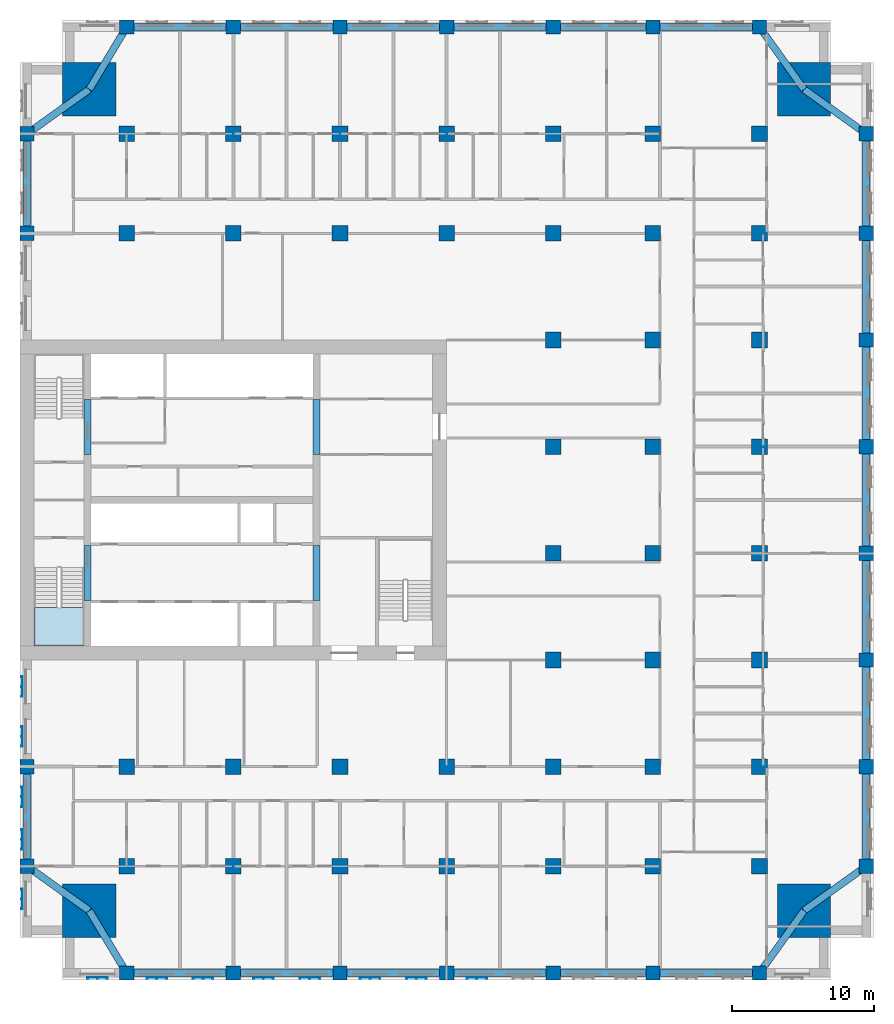
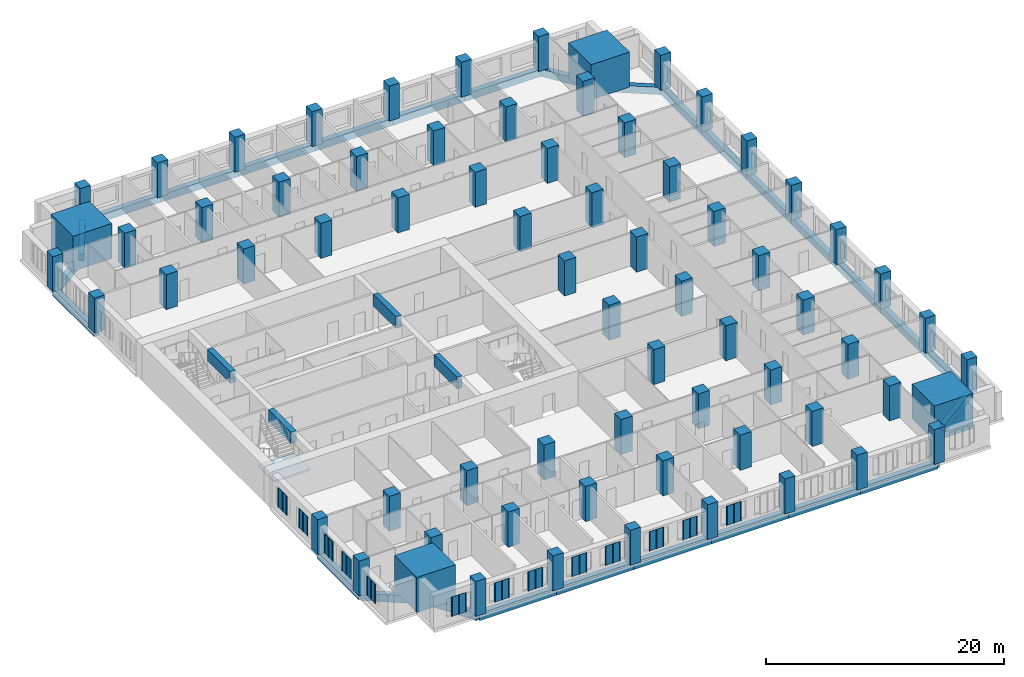
# One storey, part 1 of 15: 70 columns, 33 beams, 13 plates, 1 slab, 1 element without a shape of its own.
"""IFC4 building model written with IfcOpenShell, lengths in metres."""

import ifcopenshell
import ifcopenshell.guid

model = None  # the IFC model being written
_history = None  # IfcOwnerHistory: only IFC2X3 demands one
_inside = {}  # id of a spatial element -> (the spatial element, [elements in it])
_under = {}  # id of a project, library or spatial element -> (it, [spatial elements below it])
_declared = {}  # id of a project -> (the project, [libraries it declares])
_typed = {}  # id of a type object -> (the type object, [elements of that type])
_made_of = {}  # id of a material, layer set ... -> (it, [elements and type objects made of it])


def new_model(schema):
    """Start an empty IFC model of exactly this schema.

    Asked for "IFC4X3", IfcOpenShell would pick the latest addendum, in which some entities
    have other attributes; the version numbers below select the first issue.
    IFC2X3 requires an IfcOwnerHistory on every rooted entity: one is made here for all.
    """
    global model, _history
    if schema == "IFC4X3":
        model = ifcopenshell.file(schema_version=(4, 3, 0, 0))
    else:
        model = ifcopenshell.file(schema=schema)
    _inside.clear()
    _under.clear()
    _declared.clear()
    _typed.clear()
    _made_of.clear()
    _history = None
    if model.schema == "IFC2X3":
        org = make("IfcOrganization", Name="unknown")
        user = make(
            "IfcPersonAndOrganization",
            ThePerson=make("IfcPerson", FamilyName="unknown"),
            TheOrganization=org,
        )
        app = make(
            "IfcApplication",
            ApplicationDeveloper=org,
            Version="unknown",
            ApplicationFullName="unknown",
            ApplicationIdentifier="unknown",
        )
        _history = make(
            "IfcOwnerHistory",
            OwningUser=user,
            OwningApplication=app,
            ChangeAction="ADDED",
            CreationDate=0,
        )
    return model


def make(cls, **values):
    """One entity of the class cls with the attributes given. An attribute that is None is left unset."""
    return model.create_entity(
        cls, **{name: value for name, value in values.items() if value is not None}
    )


def rooted(cls, **values):
    """An entity with a GlobalId (a new one), such as an element, a storey or a relation."""
    return make(cls, GlobalId=ifcopenshell.guid.new(), OwnerHistory=_history, **values)


def si_unit(unit_type, name, prefix=None):
    """IfcSIUnit, for example si_unit("LENGTHUNIT", "METRE", prefix="MILLI")."""
    return make("IfcSIUnit", UnitType=unit_type, Prefix=prefix, Name=name)


def assignment(units):
    """IfcUnitAssignment: the units of a project."""
    return None if units is None else make("IfcUnitAssignment", Units=units)


def point(xyz):
    """IfcCartesianPoint."""
    return None if xyz is None else make("IfcCartesianPoint", Coordinates=xyz)


def direction(xyz):
    """IfcDirection."""
    return None if xyz is None else make("IfcDirection", DirectionRatios=xyz)


def frame(location, z_axis=None, x_axis=None):
    """IfcAxis2Placement3D, a coordinate frame: its origin and axes. An axis left out is left unset."""
    return make(
        "IfcAxis2Placement3D",
        Location=point(location),
        Axis=direction(z_axis),
        RefDirection=direction(x_axis),
    )


def frame_2d(location, x_axis=None):
    """IfcAxis2Placement2D, a coordinate frame in the plane: its origin and x axis."""
    return make(
        "IfcAxis2Placement2D", Location=point(location), RefDirection=direction(x_axis)
    )


def origin():
    """The frame at (0, 0, 0) with its axes left unset."""
    return frame((0.0, 0.0, 0.0))


def origin_2d():
    """The frame at (0, 0) in the plane with its x axis left unset."""
    return frame_2d((0.0, 0.0))


def place(relative_to, where):
    """IfcLocalPlacement: puts the frame where relative to a parent placement (None: the world)."""
    return make(
        "IfcLocalPlacement", PlacementRelTo=relative_to, RelativePlacement=where
    )


def context(
    kind, dimensions, precision=None, world=None, true_north=None, identifier=None
):
    """IfcGeometricRepresentationContext, for example the 3D "Model" context."""
    return make(
        "IfcGeometricRepresentationContext",
        ContextIdentifier=identifier,
        ContextType=kind,
        CoordinateSpaceDimension=dimensions,
        Precision=precision,
        WorldCoordinateSystem=world,
        TrueNorth=true_north,
    )


def subcontext(parent, identifier, kind, view, scale=None):
    """IfcGeometricRepresentationSubContext, for example "Body" below "Model"."""
    return make(
        "IfcGeometricRepresentationSubContext",
        ContextIdentifier=identifier,
        ContextType=kind,
        ParentContext=parent,
        TargetScale=scale,
        TargetView=view,
    )


def project(units=None, contexts=None):
    """IfcProject with its units and contexts."""
    return rooted(
        "IfcProject",
        Name="project",
        RepresentationContexts=contexts,
        UnitsInContext=assignment(units),
    )


def spatial(cls, under=None, at=None, **own):
    """A site, building, storey or space (cls), placed at a placement, below another one or the project."""
    s = rooted(cls, ObjectPlacement=at, **own)
    if under is not None:
        _under.setdefault(under.id(), (under, []))[1].append(s)
    return s


def polyline(points):
    """IfcPolyline through the points."""
    return make("IfcPolyline", Points=[point(p) for p in points])


def profile(cls, at=None, kind="AREA", **sizes):
    """A parametric profile (cls). Its sizes go by their IFC names, for example OverallWidth=200.0."""
    return make(cls, ProfileType=kind, Position=at, **sizes)


def rectangle(**sizes):
    """IfcRectangleProfileDef."""
    return profile("IfcRectangleProfileDef", **sizes)


def outline(outer, holes=None, kind="AREA"):
    """IfcArbitraryClosedProfileDef: a profile drawn as a closed curve; with holes, ...WithVoids."""
    if holes is None:
        return make("IfcArbitraryClosedProfileDef", ProfileType=kind, OuterCurve=outer)
    return make(
        "IfcArbitraryProfileDefWithVoids",
        ProfileType=kind,
        OuterCurve=outer,
        InnerCurves=holes,
    )


def extrude(swept, where, along, depth):
    """IfcExtrudedAreaSolid: the profile swept, set in the frame where, extruded along a direction by depth."""
    return make(
        "IfcExtrudedAreaSolid",
        SweptArea=swept,
        Position=where,
        ExtrudedDirection=direction(along),
        Depth=depth,
    )


def shape(context_of_items, identifier, shape_type, items):
    """IfcShapeRepresentation: the items that make up one representation, for example the "Body"."""
    return make(
        "IfcShapeRepresentation",
        ContextOfItems=context_of_items,
        RepresentationIdentifier=identifier,
        RepresentationType=shape_type,
        Items=items,
    )


def material(Name=None, Category=None):
    """IfcMaterial."""
    return make("IfcMaterial", Name=Name, Category=Category)


def layer(
    of_material, thickness, ventilated=None, Name=None, Category=None, Priority=None
):
    """IfcMaterialLayer: one layer of a wall or slab, of a material (None: an air gap)."""
    return make(
        "IfcMaterialLayer",
        Material=of_material,
        LayerThickness=thickness,
        IsVentilated=ventilated,
        Name=Name,
        Category=Category,
        Priority=Priority,
    )


def layer_set(layers, Name=None):
    """IfcMaterialLayerSet."""
    return make("IfcMaterialLayerSet", MaterialLayers=layers, LayerSetName=Name)


def material_profile(
    of_material, cross_section, Name=None, Category=None, Priority=None
):
    """IfcMaterialProfile: a cross section and its material."""
    return make(
        "IfcMaterialProfile",
        Name=Name,
        Material=of_material,
        Profile=cross_section,
        Priority=Priority,
        Category=Category,
    )


def profile_set(profiles, Name=None, composite=None):
    """IfcMaterialProfileSet."""
    return make(
        "IfcMaterialProfileSet",
        Name=Name,
        MaterialProfiles=profiles,
        CompositeProfile=composite,
    )


def made_of(thing, what):
    """Note that an element or type object is made of a material, layer set ...; save() writes the relation."""
    if what is not None:
        _made_of.setdefault(what.id(), (what, []))[1].append(thing)
    return thing


def type_object(cls, material=None, **own):
    """A type object (cls), such as IfcWallType, which elements share."""
    return made_of(rooted(cls, **own), material)


def element(
    cls,
    number,
    at=None,
    inside=None,
    cuts=None,
    type_object=None,
    material=None,
    context=None,
    identifier="Body",
    shape_type=None,
    held_by="IfcProductDefinitionShape",
    body=None,
    shapes=None,
    **own,
):
    """One element of the class cls, such as IfcWall. Its Tag is "e" and its number.

    at: its placement. inside: the storey or other place that contains it. cuts: it is an
    opening in that element (IfcRelVoidsElement). A single representation is given by context,
    identifier, shape_type and body (its items); several are given by shapes. held_by: the class
    of the entity that holds the representations. save() writes the other relations.
    """
    e = rooted(cls, Tag="e%d" % number, ObjectPlacement=at, **own)
    if body is not None:
        shapes = [shape(context, identifier, shape_type, body)]
    if shapes is not None:
        e.Representation = make(held_by, Representations=shapes)
    if inside is not None:
        _inside.setdefault(inside.id(), (inside, []))[1].append(e)
    if cuts is not None:
        rooted(
            "IfcRelVoidsElement", RelatingBuildingElement=cuts, RelatedOpeningElement=e
        )
    if type_object is not None:
        _typed.setdefault(type_object.id(), (type_object, []))[1].append(e)
    return made_of(e, material)


def aggregate(whole, parts):
    """IfcRelAggregates: a whole, such as a stair, and the parts it consists of."""
    return rooted("IfcRelAggregates", RelatingObject=whole, RelatedObjects=parts)


def save(model, path):
    """Write the relations noted so far, then the file.

    IfcRelAggregates (storeys below a building ...), IfcRelContainedInSpatialStructure (elements
    in a storey), IfcRelDefinesByType, IfcRelAssociatesMaterial and IfcRelDeclares: one each for
    every whole, place, type object, material and project.
    """
    for whole, parts in _under.values():
        aggregate(whole, parts)
    for where, things in _inside.values():
        rooted(
            "IfcRelContainedInSpatialStructure",
            RelatedElements=things,
            RelatingStructure=where,
        )
    for kind, things in _typed.values():
        rooted("IfcRelDefinesByType", RelatedObjects=things, RelatingType=kind)
    for what, things in _made_of.values():
        rooted("IfcRelAssociatesMaterial", RelatedObjects=things, RelatingMaterial=what)
    for by, libraries in _declared.values():
        rooted("IfcRelDeclares", RelatingContext=by, RelatedDefinitions=libraries)
    model.write(path)


model = new_model("IFC4")

# Units and contexts
model_context = context("Model", 3, precision=1e-05, world=origin(), true_north=direction((0.0, 1.0)))
body_context = subcontext(model_context, "Body", "Model", "MODEL_VIEW")
ifc_project = project(units=[si_unit("LENGTHUNIT", "METRE"), si_unit("AREAUNIT", "SQUARE_METRE"), si_unit("VOLUMEUNIT", "CUBIC_METRE"), si_unit("PLANEANGLEUNIT", "RADIAN"), si_unit("MASSUNIT", "GRAM", prefix="KILO")], contexts=[model_context])

# Site, building, storey
site_placement = place(None, origin())
site = spatial("IfcSite", under=ifc_project, at=site_placement, CompositionType="ELEMENT")
building_placement = place(site_placement, origin())
building = spatial("IfcBuilding", under=site, at=building_placement, Name="Tamorin Gate", CompositionType="ELEMENT")
storey_placement = place(building_placement, frame((0.0, 0.0, 97.10009765625)))
storey = spatial("IfcBuildingStorey", under=building, at=storey_placement, Name="L23", CompositionType="ELEMENT", Elevation=97.10009765625)

# Columns
ifc_material_1 = material(Name="Concrete C80/95", Category="concrete")
ifc_material_profile_1 = material_profile(ifc_material_1, rectangle(XDim=1.0, YDim=1.0, at=origin_2d()), Name="RC 1000x1000")
ifc_profile_set_1 = profile_set([ifc_material_profile_1], Name="Concrete C80/95")
column_type_1 = type_object("IfcColumnType", Name="RC column 1000x1000 C80/95", PredefinedType="COLUMN", material=ifc_profile_set_1)
for number, where, z_axis, x_axis, name in (
    (1, (30.5, 45.5, 0.0), (0.0, 0.0, 1.0), (1.0, 0.0, 0.0), "Ring column L23"),
    (2, (30.5, 52.5, 0.0), (0.0, 0.0, 1.0), (1.0, 0.0, 0.0), "Ring column L23"),
    (3, (30.5, 90.0, 0.0), (0.0, 0.0, 1.0), (1.0, 0.0, 0.0), "Ring column L23"),
    (4, (30.5, 97.0, 0.0), (0.0, 0.0, 1.0), (1.0, 0.0, 0.0), "Ring column L23"),
    (5, (37.5, 38.0, 0.0), (0.0, 0.0, 1.0), (1.0, 0.0, 0.0), "Ring column L23"),
    (6, (37.5, 104.5, 0.0), (0.0, 0.0, 1.0), (1.0, 0.0, 0.0), "Ring column L23"),
    (7, (45.0, 38.0, 0.0), (0.0, 0.0, 1.0), (1.0, 0.0, 0.0), "Ring column L23"),
    (8, (45.0, 104.5, 0.0), (0.0, 0.0, 1.0), (1.0, 0.0, 0.0), "Ring column L23"),
    (9, (52.5, 38.0, 0.0), (0.0, 0.0, 1.0), (1.0, 0.0, 0.0), "Ring column L23"),
    (10, (52.5, 104.5, 0.0), (0.0, 0.0, 1.0), (1.0, 0.0, 0.0), "Ring column L23"),
    (11, (60.0, 38.0, 0.0), (0.0, 0.0, 1.0), (1.0, 0.0, 0.0), "Ring column L23"),
    (12, (60.0, 104.5, 0.0), (0.0, 0.0, 1.0), (1.0, 0.0, 0.0), "Ring column L23"),
    (13, (67.5, 38.0, 0.0), (0.0, 0.0, 1.0), (1.0, 0.0, 0.0), "Ring column L23"),
    (14, (67.5, 104.5, 0.0), (0.0, 0.0, 1.0), (1.0, 0.0, 0.0), "Ring column L23"),
    (15, (74.5, 38.0, 0.0), (0.0, 0.0, 1.0), (1.0, 0.0, 0.0), "Ring column L23"),
    (16, (74.5, 104.5, 0.0), (0.0, 0.0, 1.0), (1.0, 0.0, 0.0), "Ring column L23"),
    (17, (82.0, 38.0, 0.0), (0.0, 0.0, 1.0), (1.0, 0.0, 0.0), "Ring column L23"),
    (18, (82.0, 104.5, 0.0), (0.0, 0.0, 1.0), (1.0, 0.0, 0.0), "Ring column L23"),
    (19, (89.5, 45.5, 0.0), (0.0, 0.0, 1.0), (1.0, 0.0, 0.0), "Ring column L23"),
    (20, (89.5, 52.5, 0.0), (0.0, 0.0, 1.0), (1.0, 0.0, 0.0), "Ring column L23"),
    (21, (89.5, 60.0, 0.0), (0.0, 0.0, 1.0), (1.0, 0.0, 0.0), "Ring column L23"),
    (22, (89.5, 67.5, 0.0), (0.0, 0.0, 1.0), (1.0, 0.0, 0.0), "Ring column L23"),
    (23, (89.5, 75.0, 0.0), (0.0, 0.0, 1.0), (1.0, 0.0, 0.0), "Ring column L23"),
    (24, (89.5, 82.5, 0.0), (0.0, 0.0, 1.0), (1.0, 0.0, 0.0), "Ring column L23"),
    (25, (89.5, 90.0, 0.0), (0.0, 0.0, 1.0), (1.0, 0.0, 0.0), "Ring column L23"),
    (26, (89.5, 97.0, 0.0), (0.0, 0.0, 1.0), (1.0, 0.0, 0.0), "Ring column L23"),
):
    element("IfcColumn", number, at=place(storey_placement, frame(where, z_axis=z_axis, x_axis=x_axis)), inside=storey, type_object=column_type_1, Name=name, PredefinedType="COLUMN", context=body_context, shape_type="SweptSolid", body=[
        extrude(rectangle(XDim=1.0, YDim=1.0, at=origin_2d()), origin(), (0.0, 0.0, 1.0), 3.599853515625),
    ])
ifc_material_profile_2 = material_profile(ifc_material_1, rectangle(XDim=1.10009765625, YDim=1.10009765625, at=origin_2d()), Name="RC 1100x1100")
ifc_profile_set_2 = profile_set([ifc_material_profile_2], Name="Concrete C80/95")
column_type_2 = type_object("IfcColumnType", Name="RC column 1100x1100 C80/95", PredefinedType="COLUMN", material=ifc_profile_set_2)
for number, where, z_axis, x_axis, name in (
    (27, (37.5, 45.5, 0.0), (0.0, 0.0, 1.0), (1.0, 0.0, 0.0), "Interior column L23"),
    (28, (37.5, 52.5, 0.0), (0.0, 0.0, 1.0), (1.0, 0.0, 0.0), "Interior column L23"),
    (29, (37.5, 90.0, 0.0), (0.0, 0.0, 1.0), (1.0, 0.0, 0.0), "Interior column L23"),
    (30, (37.5, 97.0, 0.0), (0.0, 0.0, 1.0), (1.0, 0.0, 0.0), "Interior column L23"),
    (31, (45.0, 45.5, 0.0), (0.0, 0.0, 1.0), (1.0, 0.0, 0.0), "Interior column L23"),
    (32, (45.0, 52.5, 0.0), (0.0, 0.0, 1.0), (1.0, 0.0, 0.0), "Interior column L23"),
    (33, (45.0, 90.0, 0.0), (0.0, 0.0, 1.0), (1.0, 0.0, 0.0), "Interior column L23"),
    (34, (45.0, 97.0, 0.0), (0.0, 0.0, 1.0), (1.0, 0.0, 0.0), "Interior column L23"),
    (35, (52.5, 45.5, 0.0), (0.0, 0.0, 1.0), (1.0, 0.0, 0.0), "Interior column L23"),
    (36, (52.5, 52.5, 0.0), (0.0, 0.0, 1.0), (1.0, 0.0, 0.0), "Interior column L23"),
    (37, (52.5, 90.0, 0.0), (0.0, 0.0, 1.0), (1.0, 0.0, 0.0), "Interior column L23"),
    (38, (52.5, 97.0, 0.0), (0.0, 0.0, 1.0), (1.0, 0.0, 0.0), "Interior column L23"),
    (39, (60.0, 45.5, 0.0), (0.0, 0.0, 1.0), (1.0, 0.0, 0.0), "Interior column L23"),
    (40, (60.0, 52.5, 0.0), (0.0, 0.0, 1.0), (1.0, 0.0, 0.0), "Interior column L23"),
    (41, (60.0, 90.0, 0.0), (0.0, 0.0, 1.0), (1.0, 0.0, 0.0), "Interior column L23"),
    (42, (60.0, 97.0, 0.0), (0.0, 0.0, 1.0), (1.0, 0.0, 0.0), "Interior column L23"),
    (43, (67.5, 45.5, 0.0), (0.0, 0.0, 1.0), (1.0, 0.0, 0.0), "Interior column L23"),
    (44, (67.5, 52.5, 0.0), (0.0, 0.0, 1.0), (1.0, 0.0, 0.0), "Interior column L23"),
    (45, (67.5, 60.0, 0.0), (0.0, 0.0, 1.0), (1.0, 0.0, 0.0), "Interior column L23"),
    (46, (67.5, 67.5, 0.0), (0.0, 0.0, 1.0), (1.0, 0.0, 0.0), "Interior column L23"),
    (47, (67.5, 75.0, 0.0), (0.0, 0.0, 1.0), (1.0, 0.0, 0.0), "Interior column L23"),
    (48, (67.5, 82.5, 0.0), (0.0, 0.0, 1.0), (1.0, 0.0, 0.0), "Interior column L23"),
    (49, (67.5, 90.0, 0.0), (0.0, 0.0, 1.0), (1.0, 0.0, 0.0), "Interior column L23"),
    (50, (67.5, 97.0, 0.0), (0.0, 0.0, 1.0), (1.0, 0.0, 0.0), "Interior column L23"),
    (51, (74.5, 45.5, 0.0), (0.0, 0.0, 1.0), (1.0, 0.0, 0.0), "Interior column L23"),
    (52, (74.5, 52.5, 0.0), (0.0, 0.0, 1.0), (1.0, 0.0, 0.0), "Interior column L23"),
    (53, (74.5, 60.0, 0.0), (0.0, 0.0, 1.0), (1.0, 0.0, 0.0), "Interior column L23"),
    (54, (74.5, 67.5, 0.0), (0.0, 0.0, 1.0), (1.0, 0.0, 0.0), "Interior column L23"),
    (55, (74.5, 75.0, 0.0), (0.0, 0.0, 1.0), (1.0, 0.0, 0.0), "Interior column L23"),
    (56, (74.5, 82.5, 0.0), (0.0, 0.0, 1.0), (1.0, 0.0, 0.0), "Interior column L23"),
    (57, (74.5, 90.0, 0.0), (0.0, 0.0, 1.0), (1.0, 0.0, 0.0), "Interior column L23"),
    (58, (74.5, 97.0, 0.0), (0.0, 0.0, 1.0), (1.0, 0.0, 0.0), "Interior column L23"),
    (59, (82.0, 45.5, 0.0), (0.0, 0.0, 1.0), (1.0, 0.0, 0.0), "Interior column L23"),
    (60, (82.0, 52.5, 0.0), (0.0, 0.0, 1.0), (1.0, 0.0, 0.0), "Interior column L23"),
    (61, (82.0, 60.0, 0.0), (0.0, 0.0, 1.0), (1.0, 0.0, 0.0), "Interior column L23"),
    (62, (82.0, 67.5, 0.0), (0.0, 0.0, 1.0), (1.0, 0.0, 0.0), "Interior column L23"),
    (63, (82.0, 75.0, 0.0), (0.0, 0.0, 1.0), (1.0, 0.0, 0.0), "Interior column L23"),
    (64, (82.0, 82.5, 0.0), (0.0, 0.0, 1.0), (1.0, 0.0, 0.0), "Interior column L23"),
    (65, (82.0, 90.0, 0.0), (0.0, 0.0, 1.0), (1.0, 0.0, 0.0), "Interior column L23"),
    (66, (82.0, 97.0, 0.0), (0.0, 0.0, 1.0), (1.0, 0.0, 0.0), "Interior column L23"),
):
    element("IfcColumn", number, at=place(storey_placement, frame(where, z_axis=z_axis, x_axis=x_axis)), inside=storey, type_object=column_type_2, Name=name, PredefinedType="COLUMN", context=body_context, shape_type="SweptSolid", body=[
        extrude(rectangle(XDim=1.10009765625, YDim=1.10009765625, at=origin_2d()), origin(), (0.0, 0.0, 1.0), 3.599853515625),
    ])
ifc_material_profile_3 = material_profile(ifc_material_1, rectangle(XDim=3.75, YDim=3.75, at=origin_2d()), Name="RC 3750x3750")
ifc_profile_set_3 = profile_set([ifc_material_profile_3], Name="Concrete C80/95")
column_type_3 = type_object("IfcColumnType", Name="RC column 3750x3750 C80/95", PredefinedType="COLUMN", material=ifc_profile_set_3)
for number, where, z_axis, x_axis, name in (
    (67, (34.875, 42.375, 0.0), (0.0, 0.0, 1.0), (1.0, 0.0, 0.0), "Mega column SW L23"),
    (68, (85.125, 42.375, 0.0), (0.0, 0.0, 1.0), (1.0, 0.0, 0.0), "Mega column SE L23"),
    (69, (34.875, 100.125, 0.0), (0.0, 0.0, 1.0), (1.0, 0.0, 0.0), "Mega column NW L23"),
    (70, (85.125, 100.125, 0.0), (0.0, 0.0, 1.0), (1.0, 0.0, 0.0), "Mega column NE L23"),
):
    element("IfcColumn", number, at=place(storey_placement, frame(where, z_axis=z_axis, x_axis=x_axis)), inside=storey, type_object=column_type_3, Name=name, PredefinedType="COLUMN", context=body_context, shape_type="SweptSolid", body=[
        extrude(rectangle(XDim=3.75, YDim=3.75, at=origin_2d()), origin(), (0.0, 0.0, 1.0), 3.599853515625),
    ])

# Beams
ifc_material_profile_4 = material_profile(ifc_material_1, rectangle(XDim=0.5, YDim=1.199951171875, at=origin_2d()), Name="RC 500x1200")
ifc_profile_set_4 = profile_set([ifc_material_profile_4], Name="Concrete C80/95")
beam_type_1 = type_object("IfcBeamType", Name="RC coupling beam 500x1200 C80/95", PredefinedType="BEAM", material=ifc_profile_set_4)
for number, where, z_axis, x_axis, name in (
    (71, (34.75, 64.199951171875, 3.0), (0.0, 1.0, 0.0), (-1.0, 0.0, 0.0), "Coupling beam L23"),
    (72, (34.75, 74.449951171875, 3.0), (0.0, 1.0, 0.0), (-1.0, 0.0, 0.0), "Coupling beam L23"),
    (73, (50.85009765625, 64.199951171875, 3.0), (0.0, 1.0, 0.0), (-1.0, 0.0, 0.0), "Coupling beam L23"),
    (74, (50.85009765625, 74.449951171875, 3.0), (0.0, 1.0, 0.0), (-1.0, 0.0, 0.0), "Coupling beam L23"),
):
    element("IfcBeam", number, at=place(storey_placement, frame(where, z_axis=z_axis, x_axis=x_axis)), inside=storey, type_object=beam_type_1, Name=name, PredefinedType="BEAM", context=body_context, shape_type="SweptSolid", body=[
        extrude(rectangle(XDim=0.5, YDim=1.199951171875, at=origin_2d()), origin(), (0.0, 0.0, 1.0), 3.85009765625),
    ])
ifc_material_2 = material(Name="Concrete C50/60", Category="concrete")
ifc_material_profile_5 = material_profile(ifc_material_2, rectangle(XDim=0.5, YDim=0.75, at=origin_2d()), Name="RC 500x750")
ifc_profile_set_5 = profile_set([ifc_material_profile_5], Name="Concrete C50/60")
beam_type_2 = type_object("IfcBeamType", Name="RC spandrel 500x750 C50/60", PredefinedType="BEAM", material=ifc_profile_set_5)
for number, where, z_axis, x_axis, name in (
    (75, (37.5, 38.0, -0.375), (1.0, 0.0, 0.0), (0.0, 1.0, 0.0), "Spandrel beam L23"),
    (76, (45.0, 38.0, -0.375), (1.0, 0.0, 0.0), (0.0, 1.0, 0.0), "Spandrel beam L23"),
    (77, (52.5, 38.0, -0.375), (1.0, 0.0, 0.0), (0.0, 1.0, 0.0), "Spandrel beam L23"),
    (78, (60.0, 38.0, -0.375), (1.0, 0.0, 0.0), (0.0, 1.0, 0.0), "Spandrel beam L23"),
):
    element("IfcBeam", number, at=place(storey_placement, frame(where, z_axis=z_axis, x_axis=x_axis)), inside=storey, type_object=beam_type_2, Name=name, PredefinedType="BEAM", context=body_context, shape_type="SweptSolid", body=[
        extrude(rectangle(XDim=0.5, YDim=0.75, at=origin_2d()), origin(), (0.0, 0.0, 1.0), 7.5),
    ])
beam_1_placement = place(storey_placement, frame((67.5, 38.0, -0.375), z_axis=(1.0, 0.0, 0.0), x_axis=(0.0, 1.0, 0.0)))
element("IfcBeam", 79, at=beam_1_placement, inside=storey, type_object=beam_type_2, Name="Spandrel beam L23", PredefinedType="BEAM", context=body_context, shape_type="SweptSolid", body=[
    extrude(rectangle(XDim=0.5, YDim=0.75, at=origin_2d()), origin(), (0.0, 0.0, 1.0), 7.0),
])
beam_2_placement = place(storey_placement, frame((74.5, 38.0, -0.375), z_axis=(1.0, 0.0, 0.0), x_axis=(0.0, 1.0, 0.0)))
element("IfcBeam", 80, at=beam_2_placement, inside=storey, type_object=beam_type_2, Name="Spandrel beam L23", PredefinedType="BEAM", context=body_context, shape_type="SweptSolid", body=[
    extrude(rectangle(XDim=0.5, YDim=0.75, at=origin_2d()), origin(), (0.0, 0.0, 1.0), 7.5),
])
beam_3_placement = place(storey_placement, frame((89.5, 45.5, -0.375), z_axis=(0.0, 1.0, 0.0), x_axis=(-1.0, 0.0, 0.0)))
element("IfcBeam", 81, at=beam_3_placement, inside=storey, type_object=beam_type_2, Name="Spandrel beam L23", PredefinedType="BEAM", context=body_context, shape_type="SweptSolid", body=[
    extrude(rectangle(XDim=0.5, YDim=0.75, at=origin_2d()), origin(), (0.0, 0.0, 1.0), 7.0),
])
for number, where, z_axis, x_axis, name in (
    (82, (89.5, 52.5, -0.375), (0.0, 1.0, 0.0), (-1.0, 0.0, 0.0), "Spandrel beam L23"),
    (83, (89.5, 60.0, -0.375), (0.0, 1.0, 0.0), (-1.0, 0.0, 0.0), "Spandrel beam L23"),
    (84, (89.5, 67.5, -0.375), (0.0, 1.0, 0.0), (-1.0, 0.0, 0.0), "Spandrel beam L23"),
    (85, (89.5, 75.0, -0.375), (0.0, 1.0, 0.0), (-1.0, 0.0, 0.0), "Spandrel beam L23"),
    (86, (89.5, 82.5, -0.375), (0.0, 1.0, 0.0), (-1.0, 0.0, 0.0), "Spandrel beam L23"),
):
    element("IfcBeam", number, at=place(storey_placement, frame(where, z_axis=z_axis, x_axis=x_axis)), inside=storey, type_object=beam_type_2, Name=name, PredefinedType="BEAM", context=body_context, shape_type="SweptSolid", body=[
        extrude(rectangle(XDim=0.5, YDim=0.75, at=origin_2d()), origin(), (0.0, 0.0, 1.0), 7.5),
    ])
beam_4_placement = place(storey_placement, frame((89.5, 90.0, -0.375), z_axis=(0.0, 1.0, 0.0), x_axis=(-1.0, 0.0, 0.0)))
element("IfcBeam", 87, at=beam_4_placement, inside=storey, type_object=beam_type_2, Name="Spandrel beam L23", PredefinedType="BEAM", context=body_context, shape_type="SweptSolid", body=[
    extrude(rectangle(XDim=0.5, YDim=0.75, at=origin_2d()), origin(), (0.0, 0.0, 1.0), 7.0),
])
beam_5_placement = place(storey_placement, frame((82.0, 104.5, -0.375), z_axis=(-1.0, 0.0, 0.0), x_axis=(0.0, -1.0, 0.0)))
element("IfcBeam", 88, at=beam_5_placement, inside=storey, type_object=beam_type_2, Name="Spandrel beam L23", PredefinedType="BEAM", context=body_context, shape_type="SweptSolid", body=[
    extrude(rectangle(XDim=0.5, YDim=0.75, at=origin_2d()), origin(), (0.0, 0.0, 1.0), 7.5),
])
beam_6_placement = place(storey_placement, frame((74.5, 104.5, -0.375), z_axis=(-1.0, 0.0, 0.0), x_axis=(0.0, -1.0, 0.0)))
element("IfcBeam", 89, at=beam_6_placement, inside=storey, type_object=beam_type_2, Name="Spandrel beam L23", PredefinedType="BEAM", context=body_context, shape_type="SweptSolid", body=[
    extrude(rectangle(XDim=0.5, YDim=0.75, at=origin_2d()), origin(), (0.0, 0.0, 1.0), 7.0),
])
for number, where, z_axis, x_axis, name in (
    (90, (67.5, 104.5, -0.375), (-1.0, 0.0, 0.0), (0.0, -1.0, 0.0), "Spandrel beam L23"),
    (91, (60.0, 104.5, -0.375), (-1.0, 0.0, 0.0), (0.0, -1.0, 0.0), "Spandrel beam L23"),
    (92, (52.5, 104.5, -0.375), (-1.0, 0.0, 0.0), (0.0, -1.0, 0.0), "Spandrel beam L23"),
    (93, (45.0, 104.5, -0.375), (-1.0, 0.0, 0.0), (0.0, -1.0, 0.0), "Spandrel beam L23"),
):
    element("IfcBeam", number, at=place(storey_placement, frame(where, z_axis=z_axis, x_axis=x_axis)), inside=storey, type_object=beam_type_2, Name=name, PredefinedType="BEAM", context=body_context, shape_type="SweptSolid", body=[
        extrude(rectangle(XDim=0.5, YDim=0.75, at=origin_2d()), origin(), (0.0, 0.0, 1.0), 7.5),
    ])
for number, where, z_axis, x_axis, name in (
    (94, (30.5, 97.0, -0.375), (0.0, -1.0, 0.0), (1.0, 0.0, 0.0), "Spandrel beam L23"),
    (95, (30.5, 52.5, -0.375), (0.0, -1.0, 0.0), (1.0, 0.0, 0.0), "Spandrel beam L23"),
):
    element("IfcBeam", number, at=place(storey_placement, frame(where, z_axis=z_axis, x_axis=x_axis)), inside=storey, type_object=beam_type_2, Name=name, PredefinedType="BEAM", context=body_context, shape_type="SweptSolid", body=[
        extrude(rectangle(XDim=0.5, YDim=0.75, at=origin_2d()), origin(), (0.0, 0.0, 1.0), 7.0),
    ])
beam_7_placement = place(storey_placement, frame((34.875, 42.375, -0.375), z_axis=(0.514495755428, -0.857492925713, 0.0), x_axis=(0.857492925713, 0.514495755428, 0.0)))
element("IfcBeam", 96, at=beam_7_placement, inside=storey, type_object=beam_type_2, Name="Corner tie beam L23", PredefinedType="BEAM", context=body_context, shape_type="SweptSolid", body=[
    extrude(rectangle(XDim=0.5, YDim=0.75, at=origin_2d()), origin(), (0.0, 0.0, 1.0), 5.10205078125),
])
for number, where, z_axis, x_axis, name in (
    (97, (34.875, 42.375, -0.375), (-0.813733471207, 0.581238193719, 0.0), (-0.581238193719, -0.813733471207, 0.0), "Corner tie beam L23"),
    (98, (85.125, 42.375, -0.375), (-0.581238193719, -0.813733471207, 0.0), (0.813733471207, -0.581238193719, 0.0), "Corner tie beam L23"),
    (99, (85.125, 42.375, -0.375), (0.813733471207, 0.581238193719, 0.0), (-0.581238193719, 0.813733471207, 0.0), "Corner tie beam L23"),
):
    element("IfcBeam", number, at=place(storey_placement, frame(where, z_axis=z_axis, x_axis=x_axis)), inside=storey, type_object=beam_type_2, Name=name, PredefinedType="BEAM", context=body_context, shape_type="SweptSolid", body=[
        extrude(rectangle(XDim=0.5, YDim=0.75, at=origin_2d()), origin(), (0.0, 0.0, 1.0), 5.37646484375),
    ])
beam_8_placement = place(storey_placement, frame((34.875, 100.125, -0.375), z_axis=(0.514495755428, 0.857492925713, 0.0), x_axis=(-0.857492925713, 0.514495755428, 0.0)))
element("IfcBeam", 100, at=beam_8_placement, inside=storey, type_object=beam_type_2, Name="Corner tie beam L23", PredefinedType="BEAM", context=body_context, shape_type="SweptSolid", body=[
    extrude(rectangle(XDim=0.5, YDim=0.75, at=origin_2d()), origin(), (0.0, 0.0, 1.0), 5.10205078125),
])
for number, where, z_axis, x_axis, name in (
    (101, (34.875, 100.125, -0.375), (-0.813733471207, -0.581238193719, 0.0), (0.581238193719, -0.813733471207, 0.0), "Corner tie beam L23"),
    (102, (85.125, 100.125, -0.375), (-0.581238193719, 0.813733471207, 0.0), (-0.813733471207, -0.581238193719, 0.0), "Corner tie beam L23"),
    (103, (85.125, 100.125, -0.375), (0.813733471207, -0.581238193719, 0.0), (0.581238193719, 0.813733471207, 0.0), "Corner tie beam L23"),
):
    element("IfcBeam", number, at=place(storey_placement, frame(where, z_axis=z_axis, x_axis=x_axis)), inside=storey, type_object=beam_type_2, Name=name, PredefinedType="BEAM", context=body_context, shape_type="SweptSolid", body=[
        extrude(rectangle(XDim=0.5, YDim=0.75, at=origin_2d()), origin(), (0.0, 0.0, 1.0), 5.37646484375),
    ])

# Stair, slab
ifc_material_3 = material(Name="Concrete C40/50", Category="concrete")
stair_type = type_object("IfcStairType", Name="Exit stair", PredefinedType="HALF_TURN_STAIR", material=ifc_material_3)
stair_placement = place(storey_placement, origin())
stair = element("IfcStair", 104, at=stair_placement, inside=storey, type_object=stair_type, Name="L23 stair ST1", PredefinedType="HALF_TURN_STAIR")
ifc_layer_1 = layer(ifc_material_3, 0.199951171875)
ifc_layer_set_1 = layer_set([ifc_layer_1], Name="Exit stair landing 200")
slab_type = type_object("IfcSlabType", Name="Exit stair landing 200", PredefinedType="LANDING", material=ifc_layer_set_1)
slab_placement = place(storey_placement, frame((0.0, 0.0, 1.599853515625)))
slab = element("IfcSlab", 105, at=slab_placement, type_object=slab_type, Name="ST1 landing 1", PredefinedType="LANDING", context=body_context, shape_type="SweptSolid", body=[
    extrude(outline(polyline([(31.0, 63.699951171875), (31.0, 61.0), (34.5, 61.0), (34.5, 63.699951171875), (31.0, 63.699951171875)])), origin(), (0.0, 0.0, 1.0), 0.199951171875),
])
aggregate(stair, [slab])

# Plates
ifc_material_4 = material(Name="Perforated pale aluminium sheet", Category="aluminium")
ifc_layer_2 = layer(ifc_material_4, 0.0400390625)
ifc_layer_set_2 = layer_set([ifc_layer_2], Name="Pale metal solar screen 1440")
plate_type = type_object("IfcPlateType", Name="Pale metal solar screen 1440", PredefinedType="SHEET", material=ifc_layer_set_2)
plate_1_placement = place(storey_placement, frame((0.0, 0.0, 0.7099609375)))
element("IfcPlate", 106, at=plate_1_placement, inside=storey, type_object=plate_type, Name="Perforated solar screen", PredefinedType="SHEET", context=body_context, shape_type="SweptSolid", body=[
    extrude(outline(polyline([(34.72998046875, 37.659912109375), (34.72998046875, 37.699951171875), (34.7900390625, 37.699951171875), (35.419921875, 37.699951171875), (35.47998046875, 37.699951171875), (36.110107421875, 37.699951171875), (36.169921875, 37.699951171875), (36.169921875, 37.659912109375), (36.169921875, 37.60009765625), (36.110107421875, 37.60009765625), (36.110107421875, 37.659912109375), (35.47998046875, 37.659912109375), (35.47998046875, 37.60009765625), (35.419921875, 37.60009765625), (35.419921875, 37.659912109375), (34.7900390625, 37.659912109375), (34.7900390625, 37.60009765625), (34.72998046875, 37.60009765625), (34.72998046875, 37.659912109375)])), origin(), (0.0, 0.0, 1.0), 1.97998046875),
])
plate_2_placement = place(storey_placement, frame((0.0, 0.0, 0.7099609375)))
element("IfcPlate", 107, at=plate_2_placement, inside=storey, type_object=plate_type, Name="Perforated solar screen", PredefinedType="SHEET", context=body_context, shape_type="SweptSolid", body=[
    extrude(outline(polyline([(38.905029296875, 37.659912109375), (38.905029296875, 37.699951171875), (38.965087890625, 37.699951171875), (39.594970703125, 37.699951171875), (39.655029296875, 37.699951171875), (40.284912109375, 37.699951171875), (40.344970703125, 37.699951171875), (40.344970703125, 37.699951171875), (40.344970703125, 37.659912109375), (40.344970703125, 37.659912109375), (40.344970703125, 37.60009765625), (40.284912109375, 37.60009765625), (40.284912109375, 37.659912109375), (39.655029296875, 37.659912109375), (39.655029296875, 37.60009765625), (39.594970703125, 37.60009765625), (39.594970703125, 37.659912109375), (38.965087890625, 37.659912109375), (38.965087890625, 37.60009765625), (38.905029296875, 37.60009765625), (38.905029296875, 37.659912109375)])), origin(), (0.0, 0.0, 1.0), 1.97998046875),
])
plate_3_placement = place(storey_placement, frame((0.0, 0.0, 0.7099609375)))
element("IfcPlate", 108, at=plate_3_placement, inside=storey, type_object=plate_type, Name="Perforated solar screen", PredefinedType="SHEET", context=body_context, shape_type="SweptSolid", body=[
    extrude(outline(polyline([(42.155029296875, 37.659912109375), (42.155029296875, 37.699951171875), (42.215087890625, 37.699951171875), (42.844970703125, 37.699951171875), (42.905029296875, 37.699951171875), (43.534912109375, 37.699951171875), (43.594970703125, 37.699951171875), (43.594970703125, 37.659912109375), (43.594970703125, 37.60009765625), (43.534912109375, 37.60009765625), (43.534912109375, 37.659912109375), (42.905029296875, 37.659912109375), (42.905029296875, 37.60009765625), (42.844970703125, 37.60009765625), (42.844970703125, 37.659912109375), (42.215087890625, 37.659912109375), (42.215087890625, 37.60009765625), (42.155029296875, 37.60009765625), (42.155029296875, 37.659912109375)])), origin(), (0.0, 0.0, 1.0), 1.97998046875),
])
plate_4_placement = place(storey_placement, frame((0.0, 0.0, 0.7099609375)))
element("IfcPlate", 109, at=plate_4_placement, inside=storey, type_object=plate_type, Name="Perforated solar screen", PredefinedType="SHEET", context=body_context, shape_type="SweptSolid", body=[
    extrude(outline(polyline([(46.405029296875, 37.659912109375), (46.405029296875, 37.699951171875), (46.465087890625, 37.699951171875), (47.094970703125, 37.699951171875), (47.155029296875, 37.699951171875), (47.784912109375, 37.699951171875), (47.844970703125, 37.699951171875), (47.844970703125, 37.659912109375), (47.844970703125, 37.60009765625), (47.784912109375, 37.60009765625), (47.784912109375, 37.659912109375), (47.155029296875, 37.659912109375), (47.155029296875, 37.60009765625), (47.094970703125, 37.60009765625), (47.094970703125, 37.659912109375), (46.465087890625, 37.659912109375), (46.465087890625, 37.60009765625), (46.405029296875, 37.60009765625), (46.405029296875, 37.659912109375)])), origin(), (0.0, 0.0, 1.0), 1.97998046875),
])
plate_5_placement = place(storey_placement, frame((0.0, 0.0, 0.7099609375)))
element("IfcPlate", 110, at=plate_5_placement, inside=storey, type_object=plate_type, Name="Perforated solar screen", PredefinedType="SHEET", context=body_context, shape_type="SweptSolid", body=[
    extrude(outline(polyline([(49.655029296875, 37.659912109375), (49.655029296875, 37.699951171875), (49.715087890625, 37.699951171875), (50.344970703125, 37.699951171875), (50.405029296875, 37.699951171875), (51.034912109375, 37.699951171875), (51.094970703125, 37.699951171875), (51.094970703125, 37.659912109375), (51.094970703125, 37.60009765625), (51.034912109375, 37.60009765625), (51.034912109375, 37.659912109375), (50.405029296875, 37.659912109375), (50.405029296875, 37.60009765625), (50.344970703125, 37.60009765625), (50.344970703125, 37.659912109375), (49.715087890625, 37.659912109375), (49.715087890625, 37.60009765625), (49.655029296875, 37.60009765625), (49.655029296875, 37.659912109375)])), origin(), (0.0, 0.0, 1.0), 1.97998046875),
])
plate_6_placement = place(storey_placement, frame((0.0, 0.0, 0.7099609375)))
element("IfcPlate", 111, at=plate_6_placement, inside=storey, type_object=plate_type, Name="Perforated solar screen", PredefinedType="SHEET", context=body_context, shape_type="SweptSolid", body=[
    extrude(outline(polyline([(53.905029296875, 37.659912109375), (53.905029296875, 37.699951171875), (53.965087890625, 37.699951171875), (54.594970703125, 37.699951171875), (54.655029296875, 37.699951171875), (55.284912109375, 37.699951171875), (55.344970703125, 37.699951171875), (55.344970703125, 37.659912109375), (55.344970703125, 37.60009765625), (55.284912109375, 37.60009765625), (55.284912109375, 37.659912109375), (54.655029296875, 37.659912109375), (54.655029296875, 37.60009765625), (54.594970703125, 37.60009765625), (54.594970703125, 37.659912109375), (53.965087890625, 37.659912109375), (53.965087890625, 37.60009765625), (53.905029296875, 37.60009765625), (53.905029296875, 37.659912109375)])), origin(), (0.0, 0.0, 1.0), 1.97998046875),
])
plate_7_placement = place(storey_placement, frame((0.0, 0.0, 0.7099609375)))
element("IfcPlate", 112, at=plate_7_placement, inside=storey, type_object=plate_type, Name="Perforated solar screen", PredefinedType="SHEET", context=body_context, shape_type="SweptSolid", body=[
    extrude(outline(polyline([(57.155029296875, 37.659912109375), (57.155029296875, 37.699951171875), (57.215087890625, 37.699951171875), (57.844970703125, 37.699951171875), (57.905029296875, 37.699951171875), (58.534912109375, 37.699951171875), (58.594970703125, 37.699951171875), (58.594970703125, 37.659912109375), (58.594970703125, 37.60009765625), (58.534912109375, 37.60009765625), (58.534912109375, 37.659912109375), (57.905029296875, 37.659912109375), (57.905029296875, 37.60009765625), (57.844970703125, 37.60009765625), (57.844970703125, 37.659912109375), (57.215087890625, 37.659912109375), (57.215087890625, 37.60009765625), (57.155029296875, 37.60009765625), (57.155029296875, 37.659912109375)])), origin(), (0.0, 0.0, 1.0), 1.97998046875),
])
plate_8_placement = place(storey_placement, frame((0.0, 0.0, 0.7099609375)))
element("IfcPlate", 113, at=plate_8_placement, inside=storey, type_object=plate_type, Name="Perforated solar screen", PredefinedType="SHEET", context=body_context, shape_type="SweptSolid", body=[
    extrude(outline(polyline([(61.405029296875, 37.659912109375), (61.405029296875, 37.699951171875), (61.465087890625, 37.699951171875), (62.094970703125, 37.699951171875), (62.155029296875, 37.699951171875), (62.784912109375, 37.699951171875), (62.844970703125, 37.699951171875), (62.844970703125, 37.659912109375), (62.844970703125, 37.60009765625), (62.784912109375, 37.60009765625), (62.784912109375, 37.659912109375), (62.155029296875, 37.659912109375), (62.155029296875, 37.60009765625), (62.094970703125, 37.60009765625), (62.094970703125, 37.659912109375), (61.465087890625, 37.659912109375), (61.465087890625, 37.60009765625), (61.405029296875, 37.60009765625), (61.405029296875, 37.659912109375)])), origin(), (0.0, 0.0, 1.0), 1.97998046875),
])
plate_9_placement = place(storey_placement, frame((0.0, 0.0, 0.7099609375)))
element("IfcPlate", 114, at=plate_9_placement, inside=storey, type_object=plate_type, Name="Perforated solar screen", PredefinedType="SHEET", context=body_context, shape_type="SweptSolid", body=[
    extrude(outline(polyline([(30.159912109375, 55.344970703125), (30.199951171875, 55.344970703125), (30.199951171875, 55.284912109375), (30.199951171875, 54.655029296875), (30.199951171875, 54.594970703125), (30.199951171875, 53.965087890625), (30.199951171875, 53.905029296875), (30.159912109375, 53.905029296875), (30.10009765625, 53.905029296875), (30.10009765625, 53.965087890625), (30.159912109375, 53.965087890625), (30.159912109375, 54.594970703125), (30.10009765625, 54.594970703125), (30.10009765625, 54.655029296875), (30.159912109375, 54.655029296875), (30.159912109375, 55.284912109375), (30.10009765625, 55.284912109375), (30.10009765625, 55.344970703125), (30.159912109375, 55.344970703125)])), origin(), (0.0, 0.0, 1.0), 1.97998046875),
])
plate_10_placement = place(storey_placement, frame((0.0, 0.0, 0.7099609375)))
element("IfcPlate", 115, at=plate_10_placement, inside=storey, type_object=plate_type, Name="Perforated solar screen", PredefinedType="SHEET", context=body_context, shape_type="SweptSolid", body=[
    extrude(outline(polyline([(30.159912109375, 58.844970703125), (30.199951171875, 58.844970703125), (30.199951171875, 58.784912109375), (30.199951171875, 58.155029296875), (30.199951171875, 58.094970703125), (30.199951171875, 57.465087890625), (30.199951171875, 57.405029296875), (30.159912109375, 57.405029296875), (30.10009765625, 57.405029296875), (30.10009765625, 57.465087890625), (30.159912109375, 57.465087890625), (30.159912109375, 58.094970703125), (30.10009765625, 58.094970703125), (30.10009765625, 58.155029296875), (30.159912109375, 58.155029296875), (30.159912109375, 58.784912109375), (30.10009765625, 58.784912109375), (30.10009765625, 58.844970703125), (30.159912109375, 58.844970703125)])), origin(), (0.0, 0.0, 1.0), 1.97998046875),
])
plate_11_placement = place(storey_placement, frame((0.0, 0.0, 0.7099609375)))
element("IfcPlate", 116, at=plate_11_placement, inside=storey, type_object=plate_type, Name="Perforated solar screen", PredefinedType="SHEET", context=body_context, shape_type="SweptSolid", body=[
    extrude(outline(polyline([(30.159912109375, 48.094970703125), (30.199951171875, 48.094970703125), (30.199951171875, 48.034912109375), (30.199951171875, 47.405029296875), (30.199951171875, 47.344970703125), (30.199951171875, 46.715087890625), (30.199951171875, 46.655029296875), (30.159912109375, 46.655029296875), (30.10009765625, 46.655029296875), (30.10009765625, 46.715087890625), (30.159912109375, 46.715087890625), (30.159912109375, 47.344970703125), (30.10009765625, 47.344970703125), (30.10009765625, 47.405029296875), (30.159912109375, 47.405029296875), (30.159912109375, 48.034912109375), (30.10009765625, 48.034912109375), (30.10009765625, 48.094970703125), (30.159912109375, 48.094970703125)])), origin(), (0.0, 0.0, 1.0), 1.97998046875),
])
plate_12_placement = place(storey_placement, frame((0.0, 0.0, 0.7099609375)))
element("IfcPlate", 117, at=plate_12_placement, inside=storey, type_object=plate_type, Name="Perforated solar screen", PredefinedType="SHEET", context=body_context, shape_type="SweptSolid", body=[
    extrude(outline(polyline([(30.159912109375, 51.094970703125), (30.199951171875, 51.094970703125), (30.199951171875, 51.034912109375), (30.199951171875, 50.405029296875), (30.199951171875, 50.344970703125), (30.199951171875, 49.715087890625), (30.199951171875, 49.655029296875), (30.159912109375, 49.655029296875), (30.10009765625, 49.655029296875), (30.10009765625, 49.715087890625), (30.159912109375, 49.715087890625), (30.159912109375, 50.344970703125), (30.10009765625, 50.344970703125), (30.10009765625, 50.405029296875), (30.159912109375, 50.405029296875), (30.159912109375, 51.034912109375), (30.10009765625, 51.034912109375), (30.10009765625, 51.094970703125), (30.159912109375, 51.094970703125)])), origin(), (0.0, 0.0, 1.0), 1.97998046875),
])
plate_13_placement = place(storey_placement, frame((0.0, 0.0, 0.7099609375)))
element("IfcPlate", 118, at=plate_13_placement, inside=storey, type_object=plate_type, Name="Perforated solar screen", PredefinedType="SHEET", context=body_context, shape_type="SweptSolid", body=[
    extrude(outline(polyline([(30.159912109375, 43.919921875), (30.199951171875, 43.919921875), (30.199951171875, 43.860107421875), (30.199951171875, 43.22998046875), (30.199951171875, 43.169921875), (30.199951171875, 42.5400390625), (30.199951171875, 42.47998046875), (30.159912109375, 42.47998046875), (30.10009765625, 42.47998046875), (30.10009765625, 42.5400390625), (30.159912109375, 42.5400390625), (30.159912109375, 43.169921875), (30.10009765625, 43.169921875), (30.10009765625, 43.22998046875), (30.159912109375, 43.22998046875), (30.159912109375, 43.860107421875), (30.10009765625, 43.860107421875), (30.10009765625, 43.919921875), (30.159912109375, 43.919921875)])), origin(), (0.0, 0.0, 1.0), 1.97998046875),
])

save(model, "model.ifc")
